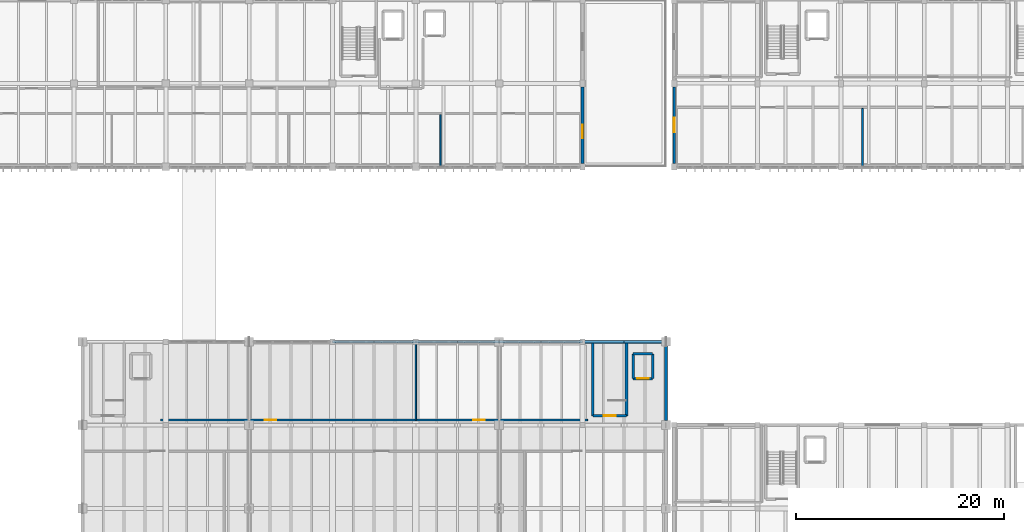
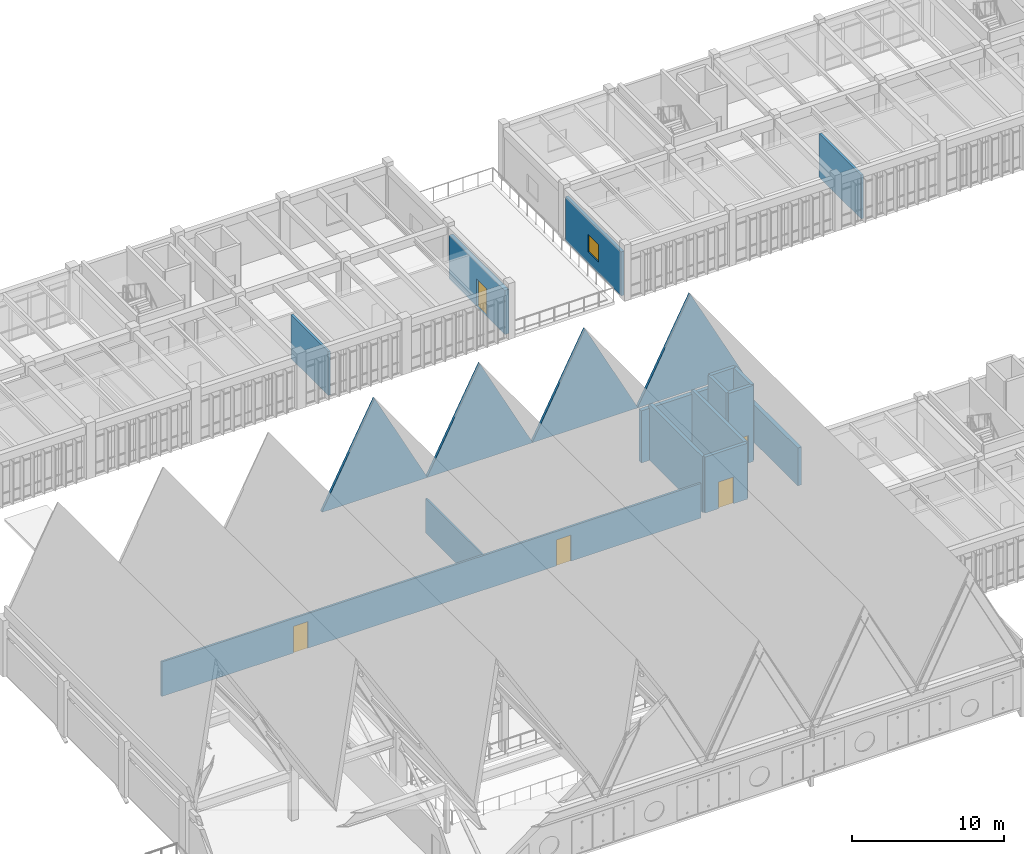
# One storey, part 52 of 72: 19 walls, 5 doors, 1 window, 6 openings.
"""IFC4 building model written with IfcOpenShell, lengths in metres."""

from ifc_helpers import new_model, si_unit, direction, frame, frame_2d, origin, place, context, subcontext, project, spatial, polyline, rectangle, outline, extrude, material, layer, layer_set, type_object, element, fill, save


model = new_model("IFC4")

# Units and contexts
model_context = context("Model", 3, precision=1e-05, world=origin(), true_north=direction((0.0, 1.0)))
body_context = subcontext(model_context, "Body", "Model", "MODEL_VIEW")
ifc_project = project(units=[si_unit("LENGTHUNIT", "METRE"), si_unit("AREAUNIT", "SQUARE_METRE"), si_unit("VOLUMEUNIT", "CUBIC_METRE"), si_unit("PLANEANGLEUNIT", "RADIAN"), si_unit("MASSUNIT", "GRAM", prefix="KILO")], contexts=[model_context])

# Site, building, storey
site_placement = place(None, origin())
site = spatial("IfcSite", under=ifc_project, at=site_placement, CompositionType="ELEMENT")
building_placement = place(site_placement, origin())
building = spatial("IfcBuilding", under=site, at=building_placement, Name="Tlaxcora Railside Police Headquarters", CompositionType="ELEMENT")
storey_placement = place(building_placement, frame((0.0, 0.0, 13.5)))
storey = spatial("IfcBuildingStorey", under=building, at=storey_placement, Name="L03", CompositionType="ELEMENT", Elevation=13.5)

# Walls
ifc_material_1 = material(Name="Gypsum acoustic partition board")
ifc_layer_1 = layer(ifc_material_1, 0.175048828125, Name="Gypsum acoustic partition board")
ifc_layer_set_1 = layer_set([ifc_layer_1], Name="Gypsum acoustic partition board")
wall_type_1 = type_object("IfcWallType", Name="Interior Partition Wall IW-22", PredefinedType="PARTITIONING", material=ifc_layer_set_1)
wall_1_placement = place(storey_placement, frame((120.875, 76.8798828125, 0.0), z_axis=(0.0, 0.0, 1.0), x_axis=(0.0, 1.0, 0.0)))
element("IfcWall", 1, at=wall_1_placement, inside=storey, type_object=wall_type_1, Name="V6 L03 interior partition 183", PredefinedType="PARTITIONING", context=body_context, shape_type="SweptSolid", body=[
    extrude(rectangle(XDim=5.52001953125, YDim=0.175048828125, at=frame_2d((2.760009765625, 0.0))), origin(), (0.0, 0.0, 1.0), 3.52490234375),
])
ifc_layer_2 = layer(ifc_material_1, 0.1298828125, Name="Gypsum acoustic partition board")
ifc_layer_set_2 = layer_set([ifc_layer_2], Name="Gypsum acoustic partition board")
wall_type_2 = type_object("IfcWallType", Name="Interior Partition Wall IW-40", PredefinedType="PARTITIONING", material=ifc_layer_set_2)
wall_2_placement = place(storey_placement, frame((78.0, 52.5, 0.0), z_axis=(0.0, 0.0, 1.0), x_axis=(0.0, 1.0, 0.0)))
element("IfcWall", 2, at=wall_2_placement, inside=storey, type_object=wall_type_2, Name="V2 L03 interior partition 176", PredefinedType="PARTITIONING", context=body_context, shape_type="SweptSolid", body=[
    extrude(rectangle(XDim=7.5, YDim=0.1298828125, at=frame_2d((3.75, 0.0))), origin(), (0.0, 0.0, 1.0), 2.784912109375),
])

# Wall, openings, doors
ifc_layer_3 = layer(ifc_material_1, 0.159912109375, Name="Gypsum acoustic partition board")
ifc_layer_set_3 = layer_set([ifc_layer_3], Name="Gypsum acoustic partition board")
wall_type_3 = type_object("IfcWallType", Name="Interior Partition Wall IW-73", PredefinedType="PARTITIONING", material=ifc_layer_set_3)
wall_3_placement = place(storey_placement, frame((53.5, 52.5, 0.0), z_axis=(0.0, 0.0, 1.0), x_axis=(1.0, 0.0, 0.0)))
wall_3 = element("IfcWall", 3, at=wall_3_placement, inside=storey, type_object=wall_type_3, Name="V2 L03 interior partition 175", PredefinedType="PARTITIONING", context=body_context, shape_type="SweptSolid", body=[
    extrude(rectangle(XDim=41.0, YDim=0.159912109375, at=frame_2d((20.5, 0.0))), origin(), (0.0, 0.0, 1.0), 2.784912109375),
])
opening_1_placement = place(wall_3_placement, frame((10.0, 0.0, 0.0)))
opening_1 = element("IfcOpeningElement", 4, at=opening_1_placement, cuts=wall_3, Name="Opening D-L03-206", PredefinedType="OPENING", context=body_context, shape_type="SweptSolid", body=[
    extrude(rectangle(XDim=1.10009765625, YDim=2.14990234375, at=frame_2d((0.550048828125, 1.074951171875))), frame((0.0, 0.08984375, 0.0), z_axis=(0.0, -1.0, 0.0), x_axis=(1.0, 0.0, 0.0)), (0.0, 0.0, 1.0), 0.179931640625),
])
opening_2_placement = place(wall_3_placement, frame((30.0, 0.0, 0.0)))
opening_2 = element("IfcOpeningElement", 5, at=opening_2_placement, cuts=wall_3, Name="Opening D-L03-207", PredefinedType="OPENING", context=body_context, shape_type="SweptSolid", body=[
    extrude(rectangle(XDim=1.10009765625, YDim=2.10009765625, at=frame_2d((0.550048828125, 1.050048828125))), frame((0.0, 0.08984375, 0.0), z_axis=(0.0, -1.0, 0.0), x_axis=(1.0, 0.0, 0.0)), (0.0, 0.0, 1.0), 0.179931640625),
])
ifc_material_2 = material(Name="Steel ASTM A992 Grade 50", Category="steel")
door_type_1 = type_object("IfcDoorType", Name="Swing or Sliding Personnel Door ID-25", OperationType="NOTDEFINED", PredefinedType="DOOR", material=ifc_material_2)
door_1_placement = place(opening_1_placement, origin())
door_1 = element("IfcDoor", 6, at=door_1_placement, inside=storey, type_object=door_type_1, Name="V2 L03 door D-L03-206", OperationType="SINGLE_SWING_LEFT", OverallHeight=2.14990234375, OverallWidth=1.10009765625, PredefinedType="DOOR", context=body_context, shape_type="SweptSolid", body=[
    extrude(rectangle(XDim=1.10009765625, YDim=2.14990234375, at=frame_2d((0.550048828125, 1.074951171875))), frame((0.0, 0.02490234375, 0.0), z_axis=(0.0, -1.0, 0.0), x_axis=(1.0, 0.0, 0.0)), (0.0, 0.0, 1.0), 0.050048828125),
])
fill(opening_1, door_1)
door_type_2 = type_object("IfcDoorType", Name="Swing or Sliding Personnel Door ID-66", OperationType="NOTDEFINED", PredefinedType="DOOR", material=ifc_material_2)
door_2_placement = place(opening_2_placement, origin())
door_2 = element("IfcDoor", 7, at=door_2_placement, inside=storey, type_object=door_type_2, Name="V2 L03 door D-L03-207", OperationType="SINGLE_SWING_RIGHT", OverallHeight=2.10009765625, OverallWidth=1.10009765625, PredefinedType="DOOR", context=body_context, shape_type="SweptSolid", body=[
    extrude(rectangle(XDim=1.10009765625, YDim=2.10009765625, at=frame_2d((0.550048828125, 1.050048828125))), frame((0.0, 0.02490234375, 0.0), z_axis=(0.0, -1.0, 0.0), x_axis=(1.0, 0.0, 0.0)), (0.0, 0.0, 1.0), 0.050048828125),
])
fill(opening_2, door_2)

# Wall
wall_4_placement = place(storey_placement, frame((80.35400390625, 76.8798828125, 0.0), z_axis=(0.0, 0.0, 1.0), x_axis=(0.0, 1.0, 0.0)))
element("IfcWall", 8, at=wall_4_placement, inside=storey, type_object=wall_type_3, Name="V5 L03 interior partition 191", PredefinedType="PARTITIONING", context=body_context, shape_type="SweptSolid", body=[
    extrude(rectangle(XDim=4.920166015625, YDim=0.159912109375, at=frame_2d((2.4599609375, 0.0))), origin(), (0.0, 0.0, 1.0), 3.52490234375),
])

# Wall, opening, door
ifc_material_3 = material(Name="Concrete C40/50", Category="concrete")
ifc_layer_4 = layer(ifc_material_3, 0.25, Name="Concrete C40/50")
ifc_layer_set_4 = layer_set([ifc_layer_4], Name="Concrete C40/50")
wall_type_4 = type_object("IfcWallType", Name="Shear Core Wall IW-13", PredefinedType="SHEAR", material=ifc_layer_set_4)
wall_5_placement = place(storey_placement, frame((95.0, 52.89990234375, 0.0), z_axis=(0.0, 0.0, 1.0), x_axis=(1.0, 0.0, 0.0)))
wall_5 = element("IfcWall", 9, at=wall_5_placement, inside=storey, type_object=wall_type_4, Name="CORE-C5 L03 stair core wall S", PredefinedType="SHEAR", context=body_context, shape_type="SweptSolid", body=[
    extrude(rectangle(XDim=3.219970703125, YDim=0.25, at=frame_2d((1.60986328125, 0.0))), origin(), (0.0, 0.0, 1.0), 4.5),
])
opening_3_placement = place(wall_5_placement, frame((1.034912109375, 0.0, 0.0)))
opening_3 = element("IfcOpeningElement", 10, at=opening_3_placement, cuts=wall_5, Name="Opening SD-L03-040", PredefinedType="OPENING", context=body_context, shape_type="SweptSolid", body=[
    extrude(rectangle(XDim=1.14990234375, YDim=2.14990234375, at=frame_2d((0.574951171875, 1.074951171875))), frame((0.0, 0.135009765625, 0.0), z_axis=(0.0, -1.0, 0.0), x_axis=(1.0, 0.0, 0.0)), (0.0, 0.0, 1.0), 0.27001953125),
])
door_type_3 = type_object("IfcDoorType", Name="Swing or Sliding Personnel Door ID-73", OperationType="NOTDEFINED", PredefinedType="DOOR", material=ifc_material_2)
door_3_placement = place(opening_3_placement, origin())
door_3 = element("IfcDoor", 11, at=door_3_placement, inside=storey, type_object=door_type_3, Name="Stair ST9 L03 enclosure fire door", OperationType="SINGLE_SWING_RIGHT", OverallHeight=2.14990234375, OverallWidth=1.14990234375, PredefinedType="DOOR", context=body_context, shape_type="SweptSolid", body=[
    extrude(rectangle(XDim=1.14990234375, YDim=2.14990234375, at=frame_2d((0.574951171875, 1.074951171875))), frame((0.0, 0.02490234375, 0.0), z_axis=(0.0, -1.0, 0.0), x_axis=(1.0, 0.0, 0.0)), (0.0, 0.0, 1.0), 0.050048828125),
])
fill(opening_3, door_3)

# Walls
for number, where, z_axis, x_axis, name in (
    (12, (98.219970703125, 52.89990234375, 0.0), (0.0, 0.0, 1.0), (0.0, 1.0, 0.0), "CORE-C5 L03 stair core wall E"),
    (13, (95.0, 60.0, 0.0), (0.0, 0.0, 1.0), (0.0, -1.0, 0.0), "CORE-C5 L03 stair core wall W"),
):
    element("IfcWall", number, at=place(storey_placement, frame(where, z_axis=z_axis, x_axis=x_axis)), inside=storey, type_object=wall_type_4, Name=name, PredefinedType="SHEAR", context=body_context, shape_type="SweptSolid", body=[
        extrude(rectangle(XDim=7.10009765625, YDim=0.25, at=frame_2d((3.550048828125, 0.0))), origin(), (0.0, 0.0, 1.0), 4.5),
    ])

# Wall, opening, door
wall_6_placement = place(storey_placement, frame((98.860107421875, 56.4599609375, 0.0), z_axis=(0.0, 0.0, 1.0), x_axis=(1.0, 0.0, 0.0)))
wall_6 = element("IfcWall", 14, at=wall_6_placement, inside=storey, type_object=wall_type_4, Name="Lift PL-05 L03 shaft wall S", PredefinedType="SHEAR", context=body_context, shape_type="SweptSolid", body=[
    extrude(rectangle(XDim=1.8798828125, YDim=0.25, at=frame_2d((0.93994140625, 0.0))), origin(), (0.0, 0.0, 1.0), 6.1201171875),
])
opening_4_placement = place(wall_6_placement, frame((0.389892578125, 0.0, 0.0)))
opening_4 = element("IfcOpeningElement", 15, at=opening_4_placement, cuts=wall_6, Name="Opening LD-PL-05-L03", PredefinedType="OPENING", context=body_context, shape_type="SweptSolid", body=[
    extrude(rectangle(XDim=1.10009765625, YDim=2.199951171875, at=frame_2d((0.550048828125, 1.10009765625))), frame((0.0, 0.135009765625, 0.0), z_axis=(0.0, -1.0, 0.0), x_axis=(1.0, 0.0, 0.0)), (0.0, 0.0, 1.0), 0.27001953125),
])
door_type_4 = type_object("IfcDoorType", Name="Swing or Sliding Personnel Door ID-15", OperationType="NOTDEFINED", PredefinedType="DOOR", material=ifc_material_2)
door_4_placement = place(opening_4_placement, origin())
door_4 = element("IfcDoor", 16, at=door_4_placement, inside=storey, type_object=door_type_4, Name="Lift PL-05 L03 sliding landing door", OperationType="DOUBLE_DOOR_SLIDING", OverallHeight=2.199951171875, OverallWidth=1.10009765625, PredefinedType="DOOR", context=body_context, shape_type="SweptSolid", body=[
    extrude(rectangle(XDim=1.10009765625, YDim=2.199951171875, at=frame_2d((0.550048828125, 1.10009765625))), frame((0.0, 0.02490234375, 0.0), z_axis=(0.0, -1.0, 0.0), x_axis=(1.0, 0.0, 0.0)), (0.0, 0.0, 1.0), 0.050048828125),
])
fill(opening_4, door_4)

# Walls
wall_7_placement = place(storey_placement, frame((100.739990234375, 56.4599609375, 0.0), z_axis=(0.0, 0.0, 1.0), x_axis=(0.0, 1.0, 0.0)))
element("IfcWall", 17, at=wall_7_placement, inside=storey, type_object=wall_type_4, Name="Lift PL-05 L03 shaft wall E", PredefinedType="SHEAR", context=body_context, shape_type="SweptSolid", body=[
    extrude(rectangle(XDim=2.380126953125, YDim=0.25, at=frame_2d((1.18994140625, 0.0))), origin(), (0.0, 0.0, 1.0), 6.1201171875),
])
wall_8_placement = place(storey_placement, frame((100.739990234375, 58.840087890625, 0.0), z_axis=(0.0, 0.0, 1.0), x_axis=(-1.0, 0.0, 0.0)))
element("IfcWall", 18, at=wall_8_placement, inside=storey, type_object=wall_type_4, Name="Lift PL-05 L03 shaft wall N", PredefinedType="SHEAR", context=body_context, shape_type="SweptSolid", body=[
    extrude(rectangle(XDim=1.8798828125, YDim=0.25, at=frame_2d((0.93994140625, 0.0))), origin(), (0.0, 0.0, 1.0), 6.1201171875),
])
wall_9_placement = place(storey_placement, frame((98.860107421875, 58.840087890625, 0.0), z_axis=(0.0, 0.0, 1.0), x_axis=(0.0, -1.0, 0.0)))
element("IfcWall", 19, at=wall_9_placement, inside=storey, type_object=wall_type_4, Name="Lift PL-05 L03 shaft wall W", PredefinedType="SHEAR", context=body_context, shape_type="SweptSolid", body=[
    extrude(rectangle(XDim=2.380126953125, YDim=0.25, at=frame_2d((1.18994140625, 0.0))), origin(), (0.0, 0.0, 1.0), 6.1201171875),
])
ifc_material_4 = material(Name="Precast concrete C40/50", Category="concrete")
ifc_layer_5 = layer(ifc_material_4, 0.215087890625, Name="Precast concrete C40/50")
ifc_layer_set_5 = layer_set([ifc_layer_5], Name="Precast concrete C40/50")
wall_type_5 = type_object("IfcWallType", Name="Structural Bearing Wall EW-34", PredefinedType="SOLIDWALL", material=ifc_layer_set_5)
for number, where, z_axis, x_axis, name in (
    (20, (70.0, 60.0, 4.5), (0.0, 0.0, 1.0), (1.0, 0.0, 0.0), "Sawtooth gable end wall N-4"),
    (21, (78.0, 60.0, 4.5), (0.0, 0.0, 1.0), (1.0, 0.0, 0.0), "Sawtooth gable end wall N-5"),
    (22, (86.0, 60.0, 4.5), (0.0, 0.0, 1.0), (1.0, 0.0, 0.0), "Sawtooth gable end wall N-6"),
    (23, (94.0, 60.0, 4.5), (0.0, 0.0, 1.0), (1.0, 0.0, 0.0), "Sawtooth gable end wall N-7"),
):
    element("IfcWall", number, at=place(storey_placement, frame(where, z_axis=z_axis, x_axis=x_axis)), inside=storey, type_object=wall_type_5, Name=name, PredefinedType="SOLIDWALL", context=body_context, shape_type="SweptSolid", body=[
        extrude(outline(polyline([(0.0, 0.0), (8.0, 0.0), (8.0, 0.050048828125), (4.0, 7.75), (0.0, 0.050048828125), (0.0, 0.0)])), frame((0.0, 0.107421875, 0.0), z_axis=(0.0, -1.0, 0.0), x_axis=(1.0, 0.0, 0.0)), (0.0, 0.0, 1.0), 0.215087890625),
    ])

# Wall, opening, window
ifc_layer_6 = layer(ifc_material_4, 0.22509765625, Name="Precast concrete C40/50")
ifc_layer_set_6 = layer_set([ifc_layer_6], Name="Precast concrete C40/50")
wall_type_6 = type_object("IfcWallType", Name="Structural Bearing Wall EW-69", PredefinedType="SOLIDWALL", material=ifc_layer_set_6)
wall_10_placement = place(storey_placement, frame((102.800048828125, 84.47509765625, 0.0), z_axis=(0.0, 0.0, 1.0), x_axis=(0.0, -1.0, 0.0)))
wall_10 = element("IfcWall", 24, at=wall_10_placement, inside=storey, type_object=wall_type_6, Name="V6 L03 exterior wall 3.1", PredefinedType="SOLIDWALL", context=body_context, shape_type="SweptSolid", body=[
    extrude(rectangle(XDim=7.35009765625, YDim=0.22509765625, at=frame_2d((3.675048828125, 0.0))), origin(), (0.0, 0.0, 1.0), 3.5400390625),
])
opening_5_placement = place(wall_10_placement, frame((2.97509765625, 0.0, 0.89990234375)))
opening_5 = element("IfcOpeningElement", 25, at=opening_5_placement, cuts=wall_10, Name="Opening WN-22", PredefinedType="OPENING", context=body_context, shape_type="SweptSolid", body=[
    extrude(rectangle(XDim=1.39990234375, YDim=1.39990234375, at=frame_2d((0.699951171875, 0.699951171875))), frame((0.0, 0.12255859375, 0.0), z_axis=(0.0, -1.0, 0.0), x_axis=(1.0, 0.0, 0.0)), (0.0, 0.0, 1.0), 0.2451171875),
])
ifc_material_5 = material(Name="Thermally broken low-E insulated glazing", Category="glass")
window_type = type_object("IfcWindowType", Name="Exterior Framed or Circular Window WN-22", PartitioningType="SINGLE_PANEL", PredefinedType="WINDOW", material=ifc_material_5)
window_placement = place(opening_5_placement, origin())
window = element("IfcWindow", 26, at=window_placement, inside=storey, type_object=window_type, Name="V6 L03 window 184", OverallHeight=1.39990234375, OverallWidth=1.39990234375, PartitioningType="SINGLE_PANEL", PredefinedType="WINDOW", context=body_context, shape_type="SweptSolid", body=[
    extrude(rectangle(XDim=1.39990234375, YDim=1.39990234375, at=frame_2d((0.699951171875, 0.699951171875))), frame((0.0, 0.030029296875, 0.0), z_axis=(0.0, -1.0, 0.0), x_axis=(1.0, 0.0, 0.0)), (0.0, 0.0, 1.0), 0.06005859375),
])
fill(opening_5, window)

# Walls
ifc_material_6 = material(Name="Pressed clay brick masonry", Category="masonry")
ifc_layer_7 = layer(ifc_material_6, 0.294921875, Name="Pressed clay brick masonry")
ifc_layer_set_7 = layer_set([ifc_layer_7], Name="Pressed clay brick masonry")
wall_type_7 = type_object("IfcWallType", Name="Structural Bearing Wall EW-74", PredefinedType="SOLIDWALL", material=ifc_layer_set_7)
wall_11_placement = place(storey_placement, frame((102.0, 52.425048828125, 0.0), z_axis=(0.0, 0.0, 1.0), x_axis=(0.0, 1.0, 0.0)))
element("IfcWall", 27, at=wall_11_placement, inside=storey, type_object=wall_type_7, Name="V2 L03 exterior wall 1.3", PredefinedType="SOLIDWALL", context=body_context, shape_type="SweptSolid", body=[
    extrude(rectangle(XDim=7.14990234375, YDim=0.294921875, at=frame_2d((3.574951171875, 0.0))), origin(), (0.0, 0.0, 1.0), 3.0400390625),
])
wall_12_placement = place(storey_placement, frame((101.574951171875, 60.0, 0.0), z_axis=(0.0, 0.0, 1.0), x_axis=(-1.0, 0.0, 0.0)))
element("IfcWall", 28, at=wall_12_placement, inside=storey, type_object=wall_type_7, Name="V2 L03 exterior wall 2.0", PredefinedType="SOLIDWALL", context=body_context, shape_type="SweptSolid", body=[
    extrude(rectangle(XDim=7.324951171875, YDim=0.294921875, at=frame_2d((3.66259765625, 0.0))), origin(), (0.0, 0.0, 1.0), 4.18994140625),
])

# Wall, opening, door
wall_13_placement = place(storey_placement, frame((94.0, 77.125, 0.0), z_axis=(0.0, 0.0, 1.0), x_axis=(0.0, 1.0, 0.0)))
wall_13 = element("IfcWall", 29, at=wall_13_placement, inside=storey, type_object=wall_type_7, Name="V5 L03 exterior wall 3.0", PredefinedType="SOLIDWALL", context=body_context, shape_type="SweptSolid", body=[
    extrude(rectangle(XDim=7.35009765625, YDim=0.294921875, at=frame_2d((3.675048828125, 0.0))), origin(), (0.0, 0.0, 1.0), 3.5400390625),
])
opening_6_placement = place(wall_13_placement, frame((2.425048828125, 0.0, 0.0)))
opening_6 = element("IfcOpeningElement", 30, at=opening_6_placement, cuts=wall_13, Name="Opening TD-04", PredefinedType="OPENING", context=body_context, shape_type="SweptSolid", body=[
    extrude(rectangle(XDim=1.300048828125, YDim=2.199951171875, at=frame_2d((0.64990234375, 1.10009765625))), frame((0.0, 0.157470703125, 0.0), z_axis=(0.0, -1.0, 0.0), x_axis=(1.0, 0.0, 0.0)), (0.0, 0.0, 1.0), 0.31494140625),
])
ifc_material_7 = material(Name="Anodised aluminium framing", Category="aluminium")
door_type_5 = type_object("IfcDoorType", Name="Swing or Sliding Personnel Door ED-62", OperationType="NOTDEFINED", PredefinedType="DOOR", material=ifc_material_7)
door_5_placement = place(opening_6_placement, frame((1.300048828125, 0.0, 0.0), z_axis=(0.0, 0.0, 1.0), x_axis=(-1.0, 0.0, 0.0)))
door_5 = element("IfcDoor", 31, at=door_5_placement, inside=storey, type_object=door_type_5, Name="V5 L03 planted terrace access door", OperationType="SINGLE_SWING_RIGHT", OverallHeight=2.199951171875, OverallWidth=1.300048828125, PredefinedType="DOOR", context=body_context, shape_type="SweptSolid", body=[
    extrude(rectangle(XDim=1.300048828125, YDim=2.199951171875, at=frame_2d((0.64990234375, 1.10009765625))), frame((0.0, 0.02490234375, 0.0), z_axis=(0.0, -1.0, 0.0), x_axis=(1.0, 0.0, 0.0)), (0.0, 0.0, 1.0), 0.050048828125),
])
fill(opening_6, door_5)

save(model, "model.ifc")
